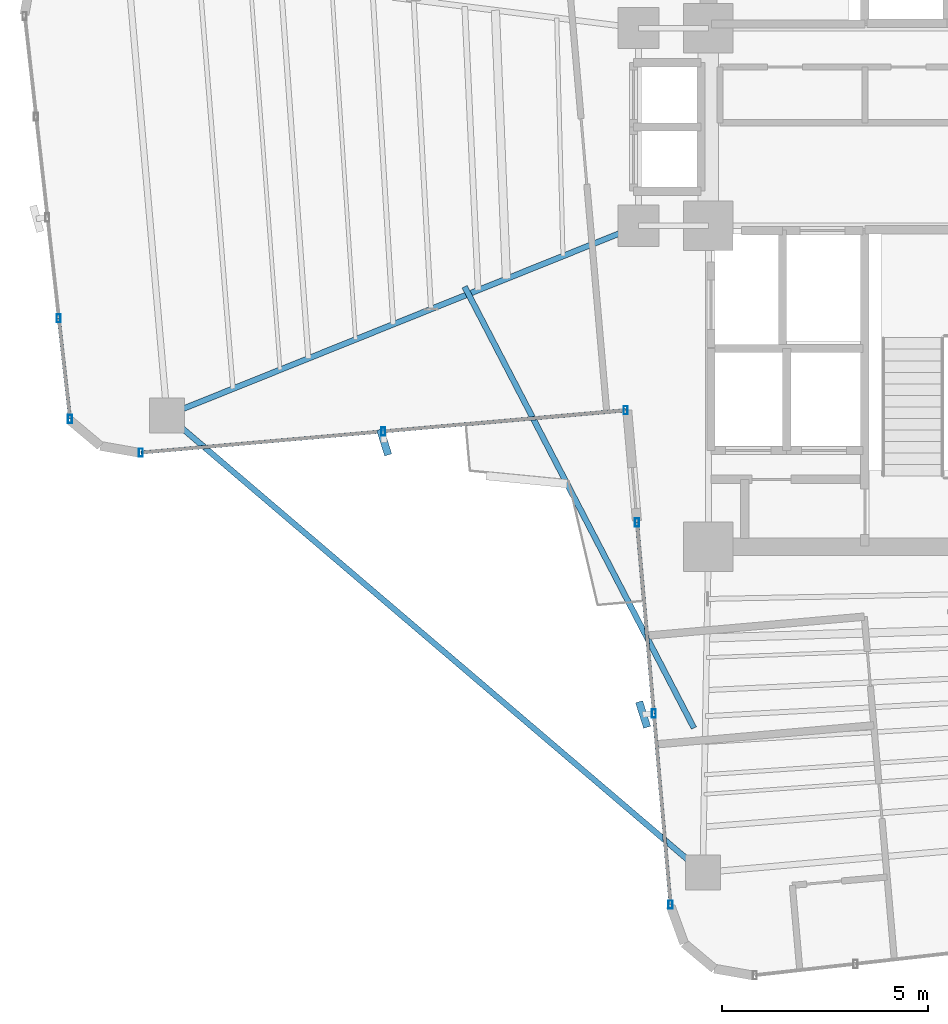
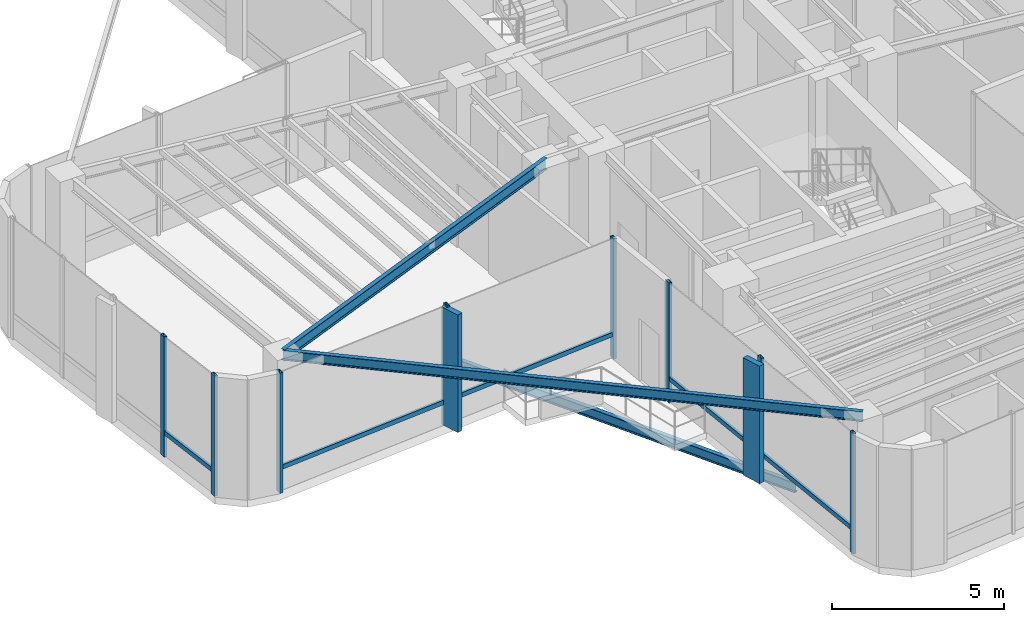
# One storey, part 2 of 19: 15 members, 3 beams, 3 elements without a shape of their own.
"""IFC4 building model written with IfcOpenShell, lengths in metres."""

from ifc_helpers import new_model, si_unit, direction, frame, origin, origin_2d, place, context, subcontext, project, spatial, rectangle, hollow_rectangle, i_section, extrude, source, transform, mapped, material, material_profile, profile_set, type_object, element, aggregate, save


model = new_model("IFC4")

# Units and contexts
model_context = context("Model", 3, precision=1e-05, world=origin(), true_north=direction((0.0, 1.0)))
body_context = subcontext(model_context, "Body", "Model", "MODEL_VIEW")
ifc_project = project(units=[si_unit("LENGTHUNIT", "METRE"), si_unit("AREAUNIT", "SQUARE_METRE"), si_unit("VOLUMEUNIT", "CUBIC_METRE"), si_unit("PLANEANGLEUNIT", "RADIAN"), si_unit("MASSUNIT", "GRAM", prefix="KILO")], contexts=[model_context])

# Site, building, storey
site_placement = place(None, origin())
site = spatial("IfcSite", under=ifc_project, at=site_placement, CompositionType="ELEMENT")
building_placement = place(site_placement, origin())
building = spatial("IfcBuilding", under=site, at=building_placement, Name="Sahyath Konkavel Grand Hotel", CompositionType="ELEMENT")
storey_placement = place(building_placement, frame((0.0, 0.0, 142.75)))
storey = spatial("IfcBuildingStorey", under=building, at=storey_placement, Name="L39", CompositionType="ELEMENT", Elevation=142.75)

# Beams
ifc_material_1 = material(Name="Steel E350", Category="steel")
ifc_material_profile_1 = material_profile(ifc_material_1, i_section(OverallWidth=0.139892578125, OverallDepth=0.39990234375, WebThickness=0.0087890625, FlangeThickness=0.01611328125, FilletRadius=0.013916015625, at=origin_2d()), Name="ISMB 400")
ifc_profile_set_1 = profile_set([ifc_material_profile_1], Name="Steel E350")
beam_type_1 = type_object("IfcBeamType", Name="BM-ISMB400", PredefinedType="BEAM", material=ifc_profile_set_1)
shared_shape_1 = source(origin(), body_context, "Body", "SweptSolid", [
    extrude(i_section(OverallWidth=0.139892578125, OverallDepth=0.39990234375, WebThickness=0.0087890625, FlangeThickness=0.01611328125, FilletRadius=0.013916015625, at=origin_2d()), origin(), (0.0, 0.0, 1.0), 12.344970703125),
])
beam_1_placement = place(storey_placement, frame((-5.5, -2.39990234375, 4.06005859375), z_axis=(-0.927837014101, -0.372985891507, 0.0), x_axis=(0.372985891507, -0.927837014101, 0.0)))
element("IfcBeam", 1, at=beam_1_placement, inside=storey, type_object=beam_type_1, Name="L39 Cruciform Radial Girder WB", PredefinedType="BEAM", context=body_context, shape_type="MappedRepresentation", body=[
    mapped(shared_shape_1, transform((0.0, 0.0, 0.0), scale=1.0)),
])
ifc_material_profile_2 = material_profile(ifc_material_1, i_section(OverallWidth=0.139892578125, OverallDepth=0.35009765625, WebThickness=0.008056640625, FlangeThickness=0.01416015625, FilletRadius=0.013916015625, at=origin_2d()), Name="ISMB 350")
ifc_profile_set_2 = profile_set([ifc_material_profile_2], Name="Steel E350")
beam_type_2 = type_object("IfcBeamType", Name="BM-ISMB350", PredefinedType="BEAM", material=ifc_profile_set_2)
shared_shape_2 = source(origin(), body_context, "Body", "SweptSolid", [
    extrude(i_section(OverallWidth=0.139892578125, OverallDepth=0.35009765625, WebThickness=0.008056640625, FlangeThickness=0.01416015625, FilletRadius=0.013916015625, at=origin_2d()), origin(), (0.0, 0.0, 1.0), 17.11279296875),
])
beam_2_placement = place(storey_placement, frame((-16.9541015625, -7.00439453125, 4.0849609375), z_axis=(0.760711911164, -0.649089661151, 0.0), x_axis=(0.649089661151, 0.760711911164, 0.0)))
element("IfcBeam", 2, at=beam_2_placement, inside=storey, type_object=beam_type_2, Name="L39 Re-Entrant Tie Beam SW", PredefinedType="BEAM", context=body_context, shape_type="MappedRepresentation", body=[
    mapped(shared_shape_2, transform((0.0, 0.0, 0.0), scale=1.0)),
])

# Curtain wall, members
ifc_material_2 = material(Name="Anodised Bronze Aluminium & Low-E Glazing", Category="aluminium")
curtain_wall_type = type_object("IfcCurtainWallType", Name="CW-SKYLOBBY", PredefinedType="NOTDEFINED", material=ifc_material_2)
curtain_wall_1_placement = place(storey_placement, origin())
curtain_wall_1 = element("IfcCurtainWall", 3, at=curtain_wall_1_placement, inside=storey, type_object=curtain_wall_type, Name="L39 Unitised Curtain Wall F20", PredefinedType="NOTDEFINED")
ifc_material_3 = material(Name="Anodised Bronze Aluminium", Category="aluminium")
ifc_material_profile_3 = material_profile(ifc_material_3, hollow_rectangle(XDim=0.10009765625, YDim=0.199951171875, WallThickness=0.008056640625, at=origin_2d()), Name="RHS 200x100x8")
ifc_profile_set_3 = profile_set([ifc_material_profile_3], Name="Anodised Bronze Aluminium")
member_type_1 = type_object("IfcMemberType", Name="CW-MUL-200", PredefinedType="MULLION", material=ifc_profile_set_3)
shared_shape_3 = source(origin(), body_context, "Body", "SweptSolid", [
    extrude(hollow_rectangle(XDim=0.10009765625, YDim=0.199951171875, WallThickness=0.008056640625, at=origin_2d()), origin(), (0.0, 0.0, 1.0), 4.260009765625),
])
member_1_placement = place(storey_placement, frame((-19.583984375, -4.648193359375, 0.0), z_axis=(0.0, 0.0, 1.0), x_axis=(1.0, 0.0, 0.0)))
member_1 = element("IfcMember", 4, at=member_1_placement, type_object=member_type_1, Name="L39 Curtain Wall Mullion F20-3", PredefinedType="MULLION", context=body_context, shape_type="MappedRepresentation", body=[
    mapped(shared_shape_3, transform((0.0, 0.0, 0.0), scale=1.0)),
])
member_2_placement = place(storey_placement, frame((-19.308349609375, -7.094970703125, 0.0), z_axis=(0.0, 0.0, 1.0), x_axis=(1.0, 0.0, 0.0)))
member_2 = element("IfcMember", 5, at=member_2_placement, type_object=member_type_1, Name="L39 Curtain Wall Mullion F20-4", PredefinedType="MULLION", context=body_context, shape_type="MappedRepresentation", body=[
    mapped(shared_shape_3, transform((0.0, 0.0, 0.0), scale=1.0)),
])

curtain_wall_2_placement = place(storey_placement, origin())
curtain_wall_2 = element("IfcCurtainWall", 6, at=curtain_wall_2_placement, inside=storey, type_object=curtain_wall_type, Name="L39 Unitised Curtain Wall F23", PredefinedType="NOTDEFINED")
member_3_placement = place(storey_placement, frame((-17.58740234375, -7.912841796875, 0.0), z_axis=(0.0, 0.0, 1.0), x_axis=(1.0, 0.0, 0.0)))
member_3 = element("IfcMember", 7, at=member_3_placement, type_object=member_type_1, Name="L39 Curtain Wall Mullion F23-0", PredefinedType="MULLION", context=body_context, shape_type="MappedRepresentation", body=[
    mapped(shared_shape_3, transform((0.0, 0.0, 0.0), scale=1.0)),
])
member_4_placement = place(storey_placement, frame((-11.69970703125, -7.39794921875, 0.0), z_axis=(0.0, 0.0, 1.0), x_axis=(1.0, 0.0, 0.0)))
member_4 = element("IfcMember", 8, at=member_4_placement, type_object=member_type_1, Name="L39 Curtain Wall Mullion F23-1", PredefinedType="MULLION", context=body_context, shape_type="MappedRepresentation", body=[
    mapped(shared_shape_3, transform((0.0, 0.0, 0.0), scale=1.0)),
])
member_5_placement = place(storey_placement, frame((-5.812255859375, -6.8828125, 0.0), z_axis=(0.0, 0.0, 1.0), x_axis=(1.0, 0.0, 0.0)))
member_5 = element("IfcMember", 9, at=member_5_placement, type_object=member_type_1, Name="L39 Curtain Wall Mullion F23-2", PredefinedType="MULLION", context=body_context, shape_type="MappedRepresentation", body=[
    mapped(shared_shape_3, transform((0.0, 0.0, 0.0), scale=1.0)),
])

curtain_wall_3_placement = place(storey_placement, origin())
curtain_wall_3 = element("IfcCurtainWall", 10, at=curtain_wall_3_placement, inside=storey, type_object=curtain_wall_type, Name="L39 Unitised Curtain Wall F24", PredefinedType="NOTDEFINED")
member_6_placement = place(storey_placement, frame((-5.53369140625, -9.60888671875, 0.0), z_axis=(0.0, 0.0, 1.0), x_axis=(1.0, 0.0, 0.0)))
member_6 = element("IfcMember", 11, at=member_6_placement, type_object=member_type_1, Name="L39 Curtain Wall Mullion F24-0", PredefinedType="MULLION", context=body_context, shape_type="MappedRepresentation", body=[
    mapped(shared_shape_3, transform((0.0, 0.0, 0.0), scale=1.0)),
])
member_7_placement = place(storey_placement, frame((-5.12744140625, -14.251220703125, 0.0), z_axis=(0.0, 0.0, 1.0), x_axis=(1.0, 0.0, 0.0)))
member_7 = element("IfcMember", 12, at=member_7_placement, type_object=member_type_1, Name="L39 Curtain Wall Mullion F24-1", PredefinedType="MULLION", context=body_context, shape_type="MappedRepresentation", body=[
    mapped(shared_shape_3, transform((0.0, 0.0, 0.0), scale=1.0)),
])
member_8_placement = place(storey_placement, frame((-4.72119140625, -18.893310546875, 0.0), z_axis=(0.0, 0.0, 1.0), x_axis=(1.0, 0.0, 0.0)))
member_8 = element("IfcMember", 13, at=member_8_placement, type_object=member_type_1, Name="L39 Curtain Wall Mullion F24-2", PredefinedType="MULLION", context=body_context, shape_type="MappedRepresentation", body=[
    mapped(shared_shape_3, transform((0.0, 0.0, 0.0), scale=1.0)),
])

# Member
ifc_material_4 = material(Name="Warm Buff Sandstone Cladding on Concrete C50/60", Category="masonry")
ifc_material_profile_4 = material_profile(ifc_material_4, rectangle(XDim=0.179931640625, YDim=0.64990234375, at=origin_2d()), Name="FIN 180x650")
ifc_profile_set_4 = profile_set([ifc_material_profile_4], Name="Warm Buff Sandstone Cladding on Concrete C50/60")
member_type_2 = type_object("IfcMemberType", Name="FIN-SANDSTONE-650", PredefinedType="MULLION", material=ifc_profile_set_4)
shared_shape_4 = source(origin(), body_context, "Body", "SweptSolid", [
    extrude(rectangle(XDim=0.179931640625, YDim=0.64990234375, at=origin_2d()), origin(), (0.0, 0.0, 1.0), 4.159912109375),
])
member_9_placement = place(storey_placement, frame((-11.677001953125, -7.656982421875, 0.050048828125), z_axis=(0.0, 0.0, 1.0), x_axis=(0.954083620326, 0.299540390309, 0.0)))
member_9 = element("IfcMember", 14, at=member_9_placement, type_object=member_type_2, Name="L39 Sandstone Vertical Solar Fin FIN F23-1", PredefinedType="MULLION", context=body_context, shape_type="MappedRepresentation", body=[
    mapped(shared_shape_4, transform((0.0, 0.0, 0.0), scale=1.0)),
])

member_10_placement = place(storey_placement, frame((-5.386474609375, -14.273681640625, 0.050048828125), z_axis=(0.0, 0.0, 1.0), x_axis=(0.954083620326, 0.299540390309, 0.0)))
member_10 = element("IfcMember", 15, at=member_10_placement, type_object=member_type_2, Name="L39 Sandstone Vertical Solar Fin FIN F24-1", PredefinedType="MULLION", context=body_context, shape_type="MappedRepresentation", body=[
    mapped(shared_shape_4, transform((0.0, 0.0, 0.0), scale=1.0)),
])

# Beam
ifc_material_profile_5 = material_profile(ifc_material_1, i_section(OverallWidth=0.139892578125, OverallDepth=0.35009765625, WebThickness=0.008056640625, FlangeThickness=0.01416015625, FilletRadius=0.013916015625, at=origin_2d()), Name="ISMB 350")
ifc_profile_set_5 = profile_set([ifc_material_profile_5], Name="Steel E350")
beam_type_3 = type_object("IfcBeamType", Name="BM-BALC-CANT", PredefinedType="BEAM", material=ifc_profile_set_5)
shared_shape_5 = source(origin(), body_context, "Body", "SweptSolid", [
    extrude(i_section(OverallWidth=0.139892578125, OverallDepth=0.35009765625, WebThickness=0.008056640625, FlangeThickness=0.01416015625, FilletRadius=0.013916015625, at=origin_2d()), origin(), (0.0, 0.0, 1.0), 12.085205078125),
])
beam_3_placement = place(storey_placement, frame((-9.7236328125, -3.87890625, -0.4951171875), z_axis=(0.461082384626, -0.887357331962, 0.0), x_axis=(0.887357331962, 0.461082384626, 0.0)))
element("IfcBeam", 16, at=beam_3_placement, inside=storey, type_object=beam_type_3, Name="L39 Balcony Cantilever Support Beam SW", PredefinedType="BEAM", context=body_context, shape_type="MappedRepresentation", body=[
    mapped(shared_shape_5, transform((0.0, 0.0, 0.0), scale=1.0)),
])

# Member
ifc_material_profile_6 = material_profile(ifc_material_3, hollow_rectangle(XDim=0.080078125, YDim=0.159912109375, WallThickness=0.006103515625, at=origin_2d()), Name="RHS 160x80x6")
ifc_profile_set_6 = profile_set([ifc_material_profile_6], Name="Anodised Bronze Aluminium")
member_type_3 = type_object("IfcMemberType", Name="CW-TRN-160", PredefinedType="USERDEFINED", material=ifc_profile_set_6)
shared_shape_6 = source(origin(), body_context, "Body", "SweptSolid", [
    extrude(hollow_rectangle(XDim=0.080078125, YDim=0.159912109375, WallThickness=0.006103515625, at=origin_2d()), origin(), (0.0, 0.0, 1.0), 2.462158203125),
])
member_11_placement = place(storey_placement, frame((-19.583984375, -4.648193359375, 0.85009765625), z_axis=(0.11194409079, -0.993714506555, 0.0), x_axis=(0.993714506555, 0.11194409079, 0.0)))
member_11 = element("IfcMember", 17, at=member_11_placement, type_object=member_type_3, Name="L39 Curtain Wall Transom F20-3-spandrel", ObjectType="TRANSOM", PredefinedType="USERDEFINED", context=body_context, shape_type="MappedRepresentation", body=[
    mapped(shared_shape_6, transform((0.0, 0.0, 0.0), scale=1.0)),
])

aggregate(curtain_wall_1, [member_1, member_2, member_11])

shared_shape_7 = source(origin(), body_context, "Body", "SweptSolid", [
    extrude(hollow_rectangle(XDim=0.080078125, YDim=0.159912109375, WallThickness=0.006103515625, at=origin_2d()), origin(), (0.0, 0.0, 1.0), 5.91015625),
])
member_12_placement = place(storey_placement, frame((-17.58740234375, -7.912841796875, 0.85009765625), z_axis=(0.996197841474, 0.087119806256, 0.0), x_axis=(-0.087119806256, 0.996197841474, 0.0)))
member_12 = element("IfcMember", 18, at=member_12_placement, type_object=member_type_3, Name="L39 Curtain Wall Transom F23-0-spandrel", ObjectType="TRANSOM", PredefinedType="USERDEFINED", context=body_context, shape_type="MappedRepresentation", body=[
    mapped(shared_shape_7, transform((0.0, 0.0, 0.0), scale=1.0)),
])

shared_shape_8 = source(origin(), body_context, "Body", "SweptSolid", [
    extrude(hollow_rectangle(XDim=0.080078125, YDim=0.159912109375, WallThickness=0.006103515625, at=origin_2d()), origin(), (0.0, 0.0, 1.0), 5.909912109375),
])
member_13_placement = place(storey_placement, frame((-11.69970703125, -7.39794921875, 0.85009765625), z_axis=(0.996193941691, 0.087164388014, 0.0), x_axis=(-0.087164388014, 0.996193941691, 0.0)))
member_13 = element("IfcMember", 19, at=member_13_placement, type_object=member_type_3, Name="L39 Curtain Wall Transom F23-1-spandrel", ObjectType="TRANSOM", PredefinedType="USERDEFINED", context=body_context, shape_type="MappedRepresentation", body=[
    mapped(shared_shape_8, transform((0.0, 0.0, 0.0), scale=1.0)),
])

aggregate(curtain_wall_2, [member_3, member_4, member_9, member_5, member_12, member_13])

shared_shape_9 = source(origin(), body_context, "Body", "SweptSolid", [
    extrude(hollow_rectangle(XDim=0.080078125, YDim=0.159912109375, WallThickness=0.006103515625, at=origin_2d()), origin(), (0.0, 0.0, 1.0), 4.66015625),
])
member_14_placement = place(storey_placement, frame((-5.53369140625, -9.60888671875, 0.85009765625), z_axis=(0.087176698736, -0.996192864458, 0.0), x_axis=(0.996192864458, 0.087176698736, 0.0)))
member_14 = element("IfcMember", 20, at=member_14_placement, type_object=member_type_3, Name="L39 Curtain Wall Transom F24-0-spandrel", ObjectType="TRANSOM", PredefinedType="USERDEFINED", context=body_context, shape_type="MappedRepresentation", body=[
    mapped(shared_shape_9, transform((0.0, 0.0, 0.0), scale=1.0)),
])

shared_shape_10 = source(origin(), body_context, "Body", "SweptSolid", [
    extrude(hollow_rectangle(XDim=0.080078125, YDim=0.159912109375, WallThickness=0.006103515625, at=origin_2d()), origin(), (0.0, 0.0, 1.0), 4.659912109375),
])
member_15_placement = place(storey_placement, frame((-5.12744140625, -14.251220703125, 0.85009765625), z_axis=(0.087181248758, -0.996192466276, 0.0), x_axis=(0.996192466276, 0.087181248758, 0.0)))
member_15 = element("IfcMember", 21, at=member_15_placement, type_object=member_type_3, Name="L39 Curtain Wall Transom F24-1-spandrel", ObjectType="TRANSOM", PredefinedType="USERDEFINED", context=body_context, shape_type="MappedRepresentation", body=[
    mapped(shared_shape_10, transform((0.0, 0.0, 0.0), scale=1.0)),
])

aggregate(curtain_wall_3, [member_6, member_7, member_10, member_8, member_14, member_15])

save(model, "model.ifc")
